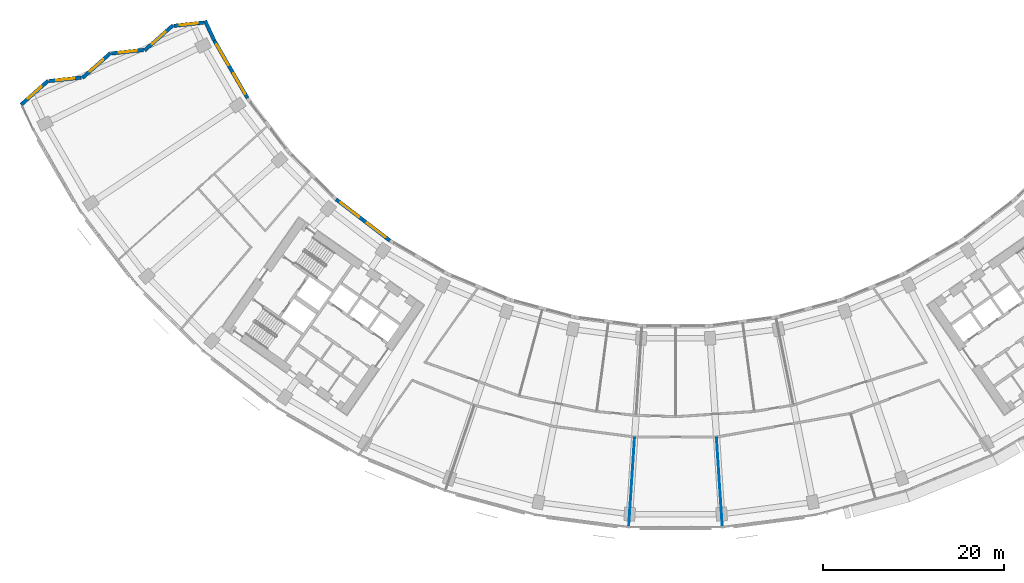
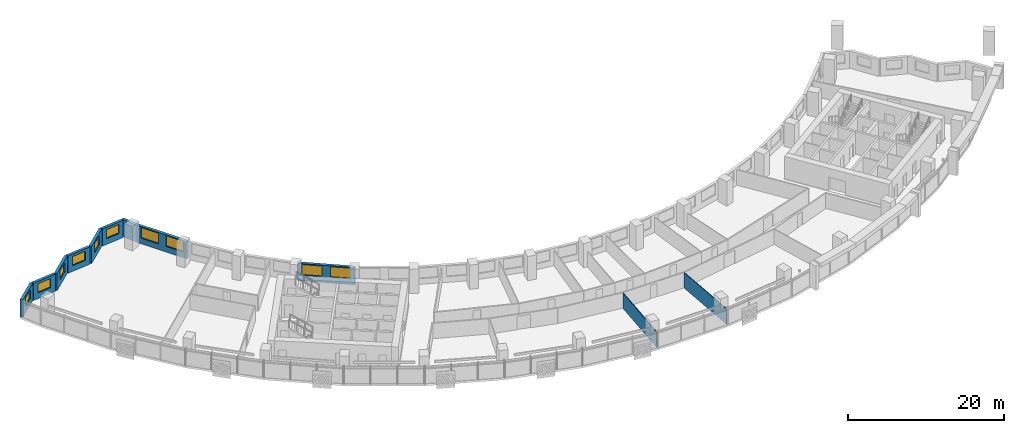
# One storey, part 5 of 29: 11 walls, 10 windows, 10 openings.
"""IFC4 building model written with IfcOpenShell, lengths in metres."""

from ifc_helpers import new_model, si_unit, direction, frame, frame_2d, origin, place, context, subcontext, project, spatial, rectangle, extrude, material, layer, layer_set, type_object, element, fill, save


model = new_model("IFC4")

# Units and contexts
model_context = context("Model", 3, precision=1e-05, world=origin(), true_north=direction((0.0, 1.0)))
body_context = subcontext(model_context, "Body", "Model", "MODEL_VIEW")
ifc_project = project(units=[si_unit("LENGTHUNIT", "METRE"), si_unit("AREAUNIT", "SQUARE_METRE"), si_unit("VOLUMEUNIT", "CUBIC_METRE"), si_unit("PLANEANGLEUNIT", "RADIAN"), si_unit("MASSUNIT", "GRAM", prefix="KILO")], contexts=[model_context])

# Site, building, storey
site_placement = place(None, origin())
site = spatial("IfcSite", under=ifc_project, at=site_placement, CompositionType="ELEMENT")
building_placement = place(site_placement, origin())
building = spatial("IfcBuilding", under=site, at=building_placement, Name="Qamariyya Broadcast Tower", CompositionType="ELEMENT")
storey_placement = place(building_placement, frame((0.0, 0.0, 129.10009765625)))
storey = spatial("IfcBuildingStorey", under=building, at=storey_placement, Name="L29", CompositionType="ELEMENT", Elevation=129.10009765625)

# Walls
ifc_material_1 = material(Name="Gypsum board partition")
ifc_layer_1 = layer(ifc_material_1, 0.10009765625)
ifc_layer_set_1 = layer_set([ifc_layer_1], Name="Partition 100")
wall_type_1 = type_object("IfcWallType", Name="Partition 100", PredefinedType="PARTITIONING", material=ifc_layer_set_1)
for number, where, z_axis, x_axis, name in (
    (1, (-5.17333984375, -78.9306640625, 0.0), (0.0, 0.0, 1.0), (0.065402368846, 0.997858973077, 0.0), "Partition L29-019"),
    (2, (5.17333984375, -78.9306640625, 0.0), (0.0, 0.0, 1.0), (-0.065402368846, 0.997858973077, 0.0), "Partition L29-026"),
):
    element("IfcWall", number, at=place(storey_placement, frame(where, z_axis=z_axis, x_axis=x_axis)), inside=storey, type_object=wall_type_1, Name=name, PredefinedType="PARTITIONING", context=body_context, shape_type="SweptSolid", body=[
        extrude(rectangle(XDim=9.81005859375, YDim=0.10009765625, at=frame_2d((4.905029296875, 0.0))), origin(), (0.0, 0.0, 1.0), 2.39990234375),
    ])

# Wall, opening, window
ifc_material_2 = material(Name="Terracotta", Category="masonry")
ifc_layer_2 = layer(ifc_material_2, 0.39990234375)
ifc_layer_set_2 = layer_set([ifc_layer_2], Name="Terracotta clad wall 400")
wall_type_2 = type_object("IfcWallType", Name="Terracotta clad wall 400", PredefinedType="SOLIDWALL", material=ifc_layer_set_2)
wall_1_placement = place(storey_placement, frame((-52.202880859375, -23.22412109375, 0.0), z_axis=(0.0, 0.0, 1.0), x_axis=(-0.99416672279, -0.107854194623, 0.0)))
wall_1 = element("IfcWall", 3, at=wall_1_placement, inside=storey, type_object=wall_type_2, Name="e-wl-L29-capW0", PredefinedType="SOLIDWALL", context=body_context, shape_type="SweptSolid", body=[
    extrude(rectangle(XDim=3.275390625, YDim=0.39990234375, at=frame_2d((1.6376953125, 0.0))), origin(), (0.0, 0.0, 1.0), 2.699951171875),
])
opening_1_placement = place(wall_1_placement, frame((0.6376953125, 0.0, 0.89990234375)))
opening_1 = element("IfcOpeningElement", 4, at=opening_1_placement, cuts=wall_1, Name="Opening W4", PredefinedType="OPENING", context=body_context, shape_type="SweptSolid", body=[
    extrude(rectangle(XDim=2.0, YDim=1.425048828125, at=frame_2d((1.0, 0.71240234375))), frame((0.0, 0.2099609375, 0.0), z_axis=(0.0, -1.0, 0.0), x_axis=(1.0, 0.0, 0.0)), (0.0, 0.0, 1.0), 0.419921875),
])
ifc_material_3 = material(Name="Clear low-e double glazed unit in aluminium frame", Category="aluminium")
window_type_1 = type_object("IfcWindowType", Name="Horn bay window 2000 x 1425", PartitioningType="SINGLE_PANEL", PredefinedType="WINDOW", material=ifc_material_3)
window_1_placement = place(opening_1_placement, origin())
window_1 = element("IfcWindow", 5, at=window_1_placement, inside=storey, type_object=window_type_1, Name="e-w-L29-capW0", OverallHeight=1.425048828125, OverallWidth=2.0, PartitioningType="SINGLE_PANEL", PredefinedType="WINDOW", context=body_context, shape_type="SweptSolid", body=[
    extrude(rectangle(XDim=2.0, YDim=1.425048828125, at=frame_2d((1.0, 0.71240234375))), frame((0.0, 0.030029296875, 0.0), z_axis=(0.0, -1.0, 0.0), x_axis=(1.0, 0.0, 0.0)), (0.0, 0.0, 1.0), 0.06005859375),
])
fill(opening_1, window_1)

wall_2_placement = place(storey_placement, frame((-55.5810546875, -23.523681640625, 0.0), z_axis=(0.0, 0.0, 1.0), x_axis=(-0.748618719126, -0.663000764233, 0.0)))
wall_2 = element("IfcWall", 6, at=wall_2_placement, inside=storey, type_object=wall_type_2, Name="e-wl-L29-capW1", PredefinedType="SOLIDWALL", context=body_context, shape_type="SweptSolid", body=[
    extrude(rectangle(XDim=4.194580078125, YDim=0.39990234375, at=frame_2d((2.09716796875, 0.0))), origin(), (0.0, 0.0, 1.0), 2.699951171875),
])
opening_2_placement = place(wall_2_placement, frame((1.09716796875, 0.0, 0.89990234375)))
opening_2 = element("IfcOpeningElement", 7, at=opening_2_placement, cuts=wall_2, Name="Opening W4", PredefinedType="OPENING", context=body_context, shape_type="SweptSolid", body=[
    extrude(rectangle(XDim=2.0, YDim=1.425048828125, at=frame_2d((1.0, 0.71240234375))), frame((0.0, 0.2099609375, 0.0), z_axis=(0.0, -1.0, 0.0), x_axis=(1.0, 0.0, 0.0)), (0.0, 0.0, 1.0), 0.419921875),
])
window_2_placement = place(opening_2_placement, origin())
window_2 = element("IfcWindow", 8, at=window_2_placement, inside=storey, type_object=window_type_1, Name="e-w-L29-capW1", OverallHeight=1.425048828125, OverallWidth=2.0, PartitioningType="SINGLE_PANEL", PredefinedType="WINDOW", context=body_context, shape_type="SweptSolid", body=[
    extrude(rectangle(XDim=2.0, YDim=1.425048828125, at=frame_2d((1.0, 0.71240234375))), frame((0.0, 0.030029296875, 0.0), z_axis=(0.0, -1.0, 0.0), x_axis=(1.0, 0.0, 0.0)), (0.0, 0.0, 1.0), 0.06005859375),
])
fill(opening_2, window_2)

wall_3_placement = place(storey_placement, frame((-58.843017578125, -26.2509765625, 0.0), z_axis=(0.0, 0.0, 1.0), x_axis=(-0.99416014316, -0.107914826381, 0.0)))
wall_3 = element("IfcWall", 9, at=wall_3_placement, inside=storey, type_object=wall_type_2, Name="e-wl-L29-capW2", PredefinedType="SOLIDWALL", context=body_context, shape_type="SweptSolid", body=[
    extrude(rectangle(XDim=3.524658203125, YDim=0.39990234375, at=frame_2d((1.76220703125, 0.0))), origin(), (0.0, 0.0, 1.0), 2.699951171875),
])
opening_3_placement = place(wall_3_placement, frame((0.762451171875, 0.0, 0.89990234375)))
opening_3 = element("IfcOpeningElement", 10, at=opening_3_placement, cuts=wall_3, Name="Opening W4", PredefinedType="OPENING", context=body_context, shape_type="SweptSolid", body=[
    extrude(rectangle(XDim=2.0, YDim=1.425048828125, at=frame_2d((1.0, 0.71240234375))), frame((0.0, 0.2099609375, 0.0), z_axis=(0.0, -1.0, 0.0), x_axis=(1.0, 0.0, 0.0)), (0.0, 0.0, 1.0), 0.419921875),
])
window_3_placement = place(opening_3_placement, origin())
window_3 = element("IfcWindow", 11, at=window_3_placement, inside=storey, type_object=window_type_1, Name="e-w-L29-capW2", OverallHeight=1.425048828125, OverallWidth=2.0, PartitioningType="SINGLE_PANEL", PredefinedType="WINDOW", context=body_context, shape_type="SweptSolid", body=[
    extrude(rectangle(XDim=2.0, YDim=1.425048828125, at=frame_2d((1.0, 0.71240234375))), frame((0.0, 0.030029296875, 0.0), z_axis=(0.0, -1.0, 0.0), x_axis=(1.0, 0.0, 0.0)), (0.0, 0.0, 1.0), 0.06005859375),
])
fill(opening_3, window_3)

wall_4_placement = place(storey_placement, frame((-62.468994140625, -26.57763671875, 0.0), z_axis=(0.0, 0.0, 1.0), x_axis=(-0.748522947977, -0.663108887252, 0.0)))
wall_4 = element("IfcWall", 12, at=wall_4_placement, inside=storey, type_object=wall_type_2, Name="e-wl-L29-capW3", PredefinedType="SOLIDWALL", context=body_context, shape_type="SweptSolid", body=[
    extrude(rectangle(XDim=4.193115234375, YDim=0.39990234375, at=frame_2d((2.0966796875, 0.0))), origin(), (0.0, 0.0, 1.0), 2.699951171875),
])
opening_4_placement = place(wall_4_placement, frame((1.0966796875, 0.0, 0.89990234375)))
opening_4 = element("IfcOpeningElement", 13, at=opening_4_placement, cuts=wall_4, Name="Opening W4", PredefinedType="OPENING", context=body_context, shape_type="SweptSolid", body=[
    extrude(rectangle(XDim=2.0, YDim=1.425048828125, at=frame_2d((1.0, 0.71240234375))), frame((0.0, 0.2099609375, 0.0), z_axis=(0.0, -1.0, 0.0), x_axis=(1.0, 0.0, 0.0)), (0.0, 0.0, 1.0), 0.419921875),
])
window_4_placement = place(opening_4_placement, origin())
window_4 = element("IfcWindow", 14, at=window_4_placement, inside=storey, type_object=window_type_1, Name="e-w-L29-capW3", OverallHeight=1.425048828125, OverallWidth=2.0, PartitioningType="SINGLE_PANEL", PredefinedType="WINDOW", context=body_context, shape_type="SweptSolid", body=[
    extrude(rectangle(XDim=2.0, YDim=1.425048828125, at=frame_2d((1.0, 0.71240234375))), frame((0.0, 0.030029296875, 0.0), z_axis=(0.0, -1.0, 0.0), x_axis=(1.0, 0.0, 0.0)), (0.0, 0.0, 1.0), 0.06005859375),
])
fill(opening_4, window_4)

wall_5_placement = place(storey_placement, frame((-65.729736328125, -29.304443359375, 0.0), z_axis=(0.0, 0.0, 1.0), x_axis=(-0.994147697077, -0.108029423756, 0.0)))
wall_5 = element("IfcWall", 15, at=wall_5_placement, inside=storey, type_object=wall_type_2, Name="e-wl-L29-capW4", PredefinedType="SOLIDWALL", context=body_context, shape_type="SweptSolid", body=[
    extrude(rectangle(XDim=3.525634765625, YDim=0.39990234375, at=frame_2d((1.7626953125, 0.0))), origin(), (0.0, 0.0, 1.0), 2.699951171875),
])
opening_5_placement = place(wall_5_placement, frame((0.762939453125, 0.0, 0.89990234375)))
opening_5 = element("IfcOpeningElement", 16, at=opening_5_placement, cuts=wall_5, Name="Opening W4", PredefinedType="OPENING", context=body_context, shape_type="SweptSolid", body=[
    extrude(rectangle(XDim=2.0, YDim=1.425048828125, at=frame_2d((1.0, 0.71240234375))), frame((0.0, 0.2099609375, 0.0), z_axis=(0.0, -1.0, 0.0), x_axis=(1.0, 0.0, 0.0)), (0.0, 0.0, 1.0), 0.419921875),
])
window_5_placement = place(opening_5_placement, origin())
window_5 = element("IfcWindow", 17, at=window_5_placement, inside=storey, type_object=window_type_1, Name="e-w-L29-capW4", OverallHeight=1.425048828125, OverallWidth=2.0, PartitioningType="SINGLE_PANEL", PredefinedType="WINDOW", context=body_context, shape_type="SweptSolid", body=[
    extrude(rectangle(XDim=2.0, YDim=1.425048828125, at=frame_2d((1.0, 0.71240234375))), frame((0.0, 0.030029296875, 0.0), z_axis=(0.0, -1.0, 0.0), x_axis=(1.0, 0.0, 0.0)), (0.0, 0.0, 1.0), 0.06005859375),
])
fill(opening_5, window_5)

wall_6_placement = place(storey_placement, frame((-69.356689453125, -29.631591796875, 0.0), z_axis=(0.0, 0.0, 1.0), x_axis=(-0.748462219631, -0.663177431601, 0.0)))
wall_6 = element("IfcWall", 18, at=wall_6_placement, inside=storey, type_object=wall_type_2, Name="e-wl-L29-capW5", PredefinedType="SOLIDWALL", context=body_context, shape_type="SweptSolid", body=[
    extrude(rectangle(XDim=4.013427734375, YDim=0.39990234375, at=frame_2d((2.0068359375, 0.0))), origin(), (0.0, 0.0, 1.0), 2.699951171875),
])
opening_6_placement = place(wall_6_placement, frame((1.0068359375, 0.0, 0.89990234375)))
opening_6 = element("IfcOpeningElement", 19, at=opening_6_placement, cuts=wall_6, Name="Opening W4", PredefinedType="OPENING", context=body_context, shape_type="SweptSolid", body=[
    extrude(rectangle(XDim=2.0, YDim=1.425048828125, at=frame_2d((1.0, 0.71240234375))), frame((0.0, 0.2099609375, 0.0), z_axis=(0.0, -1.0, 0.0), x_axis=(1.0, 0.0, 0.0)), (0.0, 0.0, 1.0), 0.419921875),
])
window_6_placement = place(opening_6_placement, origin())
window_6 = element("IfcWindow", 20, at=window_6_placement, inside=storey, type_object=window_type_1, Name="e-w-L29-capW5", OverallHeight=1.425048828125, OverallWidth=2.0, PartitioningType="SINGLE_PANEL", PredefinedType="WINDOW", context=body_context, shape_type="SweptSolid", body=[
    extrude(rectangle(XDim=2.0, YDim=1.425048828125, at=frame_2d((1.0, 0.71240234375))), frame((0.0, 0.030029296875, 0.0), z_axis=(0.0, -1.0, 0.0), x_axis=(1.0, 0.0, 0.0)), (0.0, 0.0, 1.0), 0.06005859375),
])
fill(opening_6, window_6)

# Wall
wall_7_placement = place(storey_placement, frame((-51.02392578125, -25.183837890625, 0.0), z_axis=(0.0, 0.0, 1.0), x_axis=(-0.42383284824, 0.905740424599, 0.0)))
element("IfcWall", 21, at=wall_7_placement, inside=storey, type_object=wall_type_2, Name="e-wl-L29-in00", PredefinedType="SOLIDWALL", context=body_context, shape_type="SweptSolid", body=[
    extrude(rectangle(XDim=2.383544921875, YDim=0.39990234375, at=frame_2d((1.19189453125, 0.0))), origin(), (0.0, 0.0, 1.0), 2.699951171875),
])

# Wall, openings, windows
wall_8_placement = place(storey_placement, frame((-47.33642578125, -31.568359375, 0.0), z_axis=(0.0, 0.0, 1.0), x_axis=(-0.499980071345, 0.866036909293, 0.0)))
wall_8 = element("IfcWall", 22, at=wall_8_placement, inside=storey, type_object=wall_type_2, Name="e-wl-L29-in10", PredefinedType="SOLIDWALL", context=body_context, shape_type="SweptSolid", body=[
    extrude(rectangle(XDim=7.355712890625, YDim=0.39990234375, at=frame_2d((3.677734375, 0.0))), origin(), (0.0, 0.0, 1.0), 2.699951171875),
])
opening_7_placement = place(wall_8_placement, frame((4.224853515625, 0.0, 0.89990234375)))
opening_7 = element("IfcOpeningElement", 23, at=opening_7_placement, cuts=wall_8, Name="Opening W1", PredefinedType="OPENING", context=body_context, shape_type="SweptSolid", body=[
    extrude(rectangle(XDim=2.60009765625, YDim=1.64990234375, at=frame_2d((1.300048828125, 0.824951171875))), frame((0.0, 0.2099609375, 0.0), z_axis=(0.0, -1.0, 0.0), x_axis=(1.0, 0.0, 0.0)), (0.0, 0.0, 1.0), 0.419921875),
])
opening_8_placement = place(wall_8_placement, frame((0.5166015625, 0.0, 0.89990234375)))
opening_8 = element("IfcOpeningElement", 24, at=opening_8_placement, cuts=wall_8, Name="Opening W1", PredefinedType="OPENING", context=body_context, shape_type="SweptSolid", body=[
    extrude(rectangle(XDim=2.60009765625, YDim=1.64990234375, at=frame_2d((1.300048828125, 0.824951171875))), frame((0.0, 0.2099609375, 0.0), z_axis=(0.0, -1.0, 0.0), x_axis=(1.0, 0.0, 0.0)), (0.0, 0.0, 1.0), 0.419921875),
])
window_type_2 = type_object("IfcWindowType", Name="Ribbon window 2600 x 1650", PartitioningType="SINGLE_PANEL", PredefinedType="WINDOW", material=ifc_material_3)
window_7_placement = place(opening_7_placement, origin())
window_7 = element("IfcWindow", 25, at=window_7_placement, inside=storey, type_object=window_type_2, Name="e-w-L29-in01-0", OverallHeight=1.64990234375, OverallWidth=2.60009765625, PartitioningType="SINGLE_PANEL", PredefinedType="WINDOW", context=body_context, shape_type="SweptSolid", body=[
    extrude(rectangle(XDim=2.60009765625, YDim=1.64990234375, at=frame_2d((1.300048828125, 0.824951171875))), frame((0.0, 0.030029296875, 0.0), z_axis=(0.0, -1.0, 0.0), x_axis=(1.0, 0.0, 0.0)), (0.0, 0.0, 1.0), 0.06005859375),
])
fill(opening_7, window_7)
window_8_placement = place(opening_8_placement, origin())
window_8 = element("IfcWindow", 26, at=window_8_placement, inside=storey, type_object=window_type_2, Name="e-w-L29-in01-1", OverallHeight=1.64990234375, OverallWidth=2.60009765625, PartitioningType="SINGLE_PANEL", PredefinedType="WINDOW", context=body_context, shape_type="SweptSolid", body=[
    extrude(rectangle(XDim=2.60009765625, YDim=1.64990234375, at=frame_2d((1.300048828125, 0.824951171875))), frame((0.0, 0.030029296875, 0.0), z_axis=(0.0, -1.0, 0.0), x_axis=(1.0, 0.0, 0.0)), (0.0, 0.0, 1.0), 0.06005859375),
])
fill(opening_8, window_8)

wall_9_placement = place(storey_placement, frame((-31.59228515625, -47.326171875, 0.0), z_axis=(0.0, 0.0, 1.0), x_axis=(-0.793363487476, 0.608748204711, 0.0)))
wall_9 = element("IfcWall", 27, at=wall_9_placement, inside=storey, type_object=wall_type_2, Name="e-wl-L29-in40", PredefinedType="SOLIDWALL", context=body_context, shape_type="SweptSolid", body=[
    extrude(rectangle(XDim=7.492919921875, YDim=0.39990234375, at=frame_2d((3.74658203125, 0.0))), origin(), (0.0, 0.0, 1.0), 2.699951171875),
])
opening_9_placement = place(wall_9_placement, frame((4.300537109375, 0.0, 0.89990234375)))
opening_9 = element("IfcOpeningElement", 28, at=opening_9_placement, cuts=wall_9, Name="Opening W1", PredefinedType="OPENING", context=body_context, shape_type="SweptSolid", body=[
    extrude(rectangle(XDim=2.60009765625, YDim=1.64990234375, at=frame_2d((1.300048828125, 0.824951171875))), frame((0.0, 0.2099609375, 0.0), z_axis=(0.0, -1.0, 0.0), x_axis=(1.0, 0.0, 0.0)), (0.0, 0.0, 1.0), 0.419921875),
])
opening_10_placement = place(wall_9_placement, frame((0.59228515625, 0.0, 0.89990234375)))
opening_10 = element("IfcOpeningElement", 29, at=opening_10_placement, cuts=wall_9, Name="Opening W1", PredefinedType="OPENING", context=body_context, shape_type="SweptSolid", body=[
    extrude(rectangle(XDim=2.60009765625, YDim=1.64990234375, at=frame_2d((1.300048828125, 0.824951171875))), frame((0.0, 0.2099609375, 0.0), z_axis=(0.0, -1.0, 0.0), x_axis=(1.0, 0.0, 0.0)), (0.0, 0.0, 1.0), 0.419921875),
])
window_9_placement = place(opening_9_placement, origin())
window_9 = element("IfcWindow", 30, at=window_9_placement, inside=storey, type_object=window_type_2, Name="e-w-L29-in04-0", OverallHeight=1.64990234375, OverallWidth=2.60009765625, PartitioningType="SINGLE_PANEL", PredefinedType="WINDOW", context=body_context, shape_type="SweptSolid", body=[
    extrude(rectangle(XDim=2.60009765625, YDim=1.64990234375, at=frame_2d((1.300048828125, 0.824951171875))), frame((0.0, 0.030029296875, 0.0), z_axis=(0.0, -1.0, 0.0), x_axis=(1.0, 0.0, 0.0)), (0.0, 0.0, 1.0), 0.06005859375),
])
fill(opening_9, window_9)
window_10_placement = place(opening_10_placement, origin())
window_10 = element("IfcWindow", 31, at=window_10_placement, inside=storey, type_object=window_type_2, Name="e-w-L29-in04-1", OverallHeight=1.64990234375, OverallWidth=2.60009765625, PartitioningType="SINGLE_PANEL", PredefinedType="WINDOW", context=body_context, shape_type="SweptSolid", body=[
    extrude(rectangle(XDim=2.60009765625, YDim=1.64990234375, at=frame_2d((1.300048828125, 0.824951171875))), frame((0.0, 0.030029296875, 0.0), z_axis=(0.0, -1.0, 0.0), x_axis=(1.0, 0.0, 0.0)), (0.0, 0.0, 1.0), 0.06005859375),
])
fill(opening_10, window_10)

save(model, "model.ifc")
